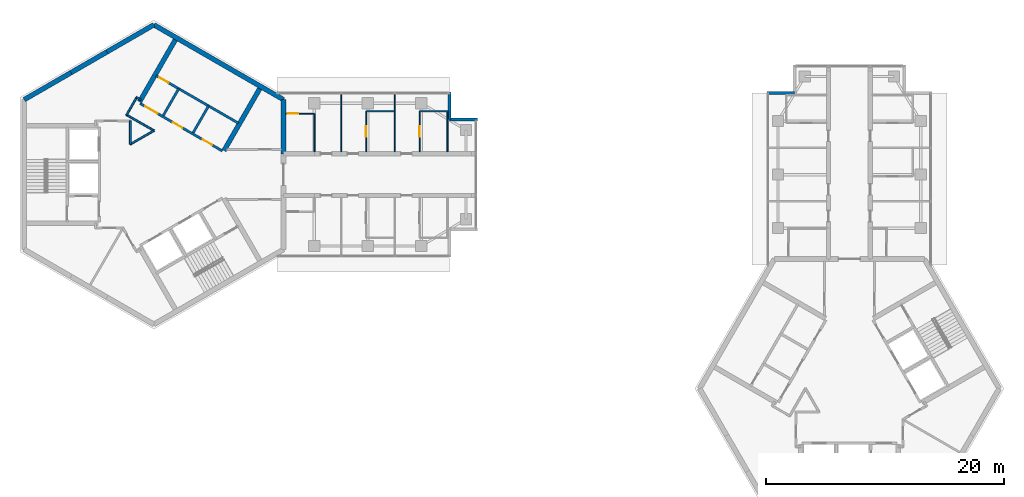
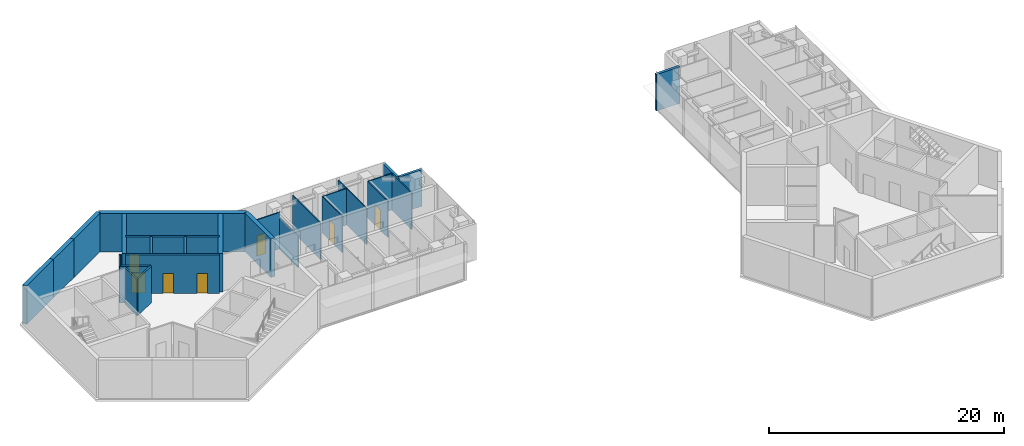
# One storey, part 7 of 11: 28 walls, 7 doors, 7 openings.
"""IFC4 building model written with IfcOpenShell, lengths in metres."""

from ifc_helpers import new_model, si_unit, direction, frame, frame_2d, origin, place, context, subcontext, project, spatial, rectangle, extrude, material, layer, layer_set, type_object, element, fill, save


model = new_model("IFC4")

# Units and contexts
model_context = context("Model", 3, precision=1e-05, world=origin(), true_north=direction((0.0, 1.0)))
body_context = subcontext(model_context, "Body", "Model", "MODEL_VIEW")
ifc_project = project(units=[si_unit("LENGTHUNIT", "METRE"), si_unit("AREAUNIT", "SQUARE_METRE"), si_unit("VOLUMEUNIT", "CUBIC_METRE"), si_unit("PLANEANGLEUNIT", "RADIAN"), si_unit("MASSUNIT", "GRAM", prefix="KILO")], contexts=[model_context])

# Site, building, storey
site_placement = place(None, origin())
site = spatial("IfcSite", under=ifc_project, at=site_placement, CompositionType="ELEMENT")
building_placement = place(site_placement, origin())
building = spatial("IfcBuilding", under=site, at=building_placement, Name="Upepo Twin Towers", CompositionType="ELEMENT")
storey_placement = place(building_placement, frame((0.0, 0.0, 279.5)))
storey = spatial("IfcBuildingStorey", under=building, at=storey_placement, Name="L68", CompositionType="ELEMENT", Elevation=279.5)

# Walls
ifc_material_1 = material(Name="Concrete C60/75", Category="concrete")
ifc_layer_1 = layer(ifc_material_1, 0.39990234375)
ifc_layer_set_1 = layer_set([ifc_layer_1], Name="Concrete C60/75")
wall_type_1 = type_object("IfcWallType", Name="Core wall 400 RC", PredefinedType="SHEAR", material=ifc_layer_set_1)
wall_1_placement = place(storey_placement, frame((10.908447265625, 1.75, 0.0), z_axis=(0.0, 0.0, 1.0), x_axis=(0.0, 1.0, 0.0)))
element("IfcWall", 1, at=wall_1_placement, inside=storey, type_object=wall_type_1, Name="T1 core wall 000 L", PredefinedType="SHEAR", context=body_context, shape_type="SweptSolid", body=[
    extrude(rectangle(XDim=4.5478515625, YDim=0.39990234375, at=frame_2d((2.27392578125, 0.0))), origin(), (0.0, 0.0, 1.0), 4.0),
])
wall_2_placement = place(storey_placement, frame((10.908447265625, 6.2978515625, 0.0), z_axis=(0.0, 0.0, 1.0), x_axis=(-0.866021940709, 0.500005998175, 0.0)))
element("IfcWall", 2, at=wall_2_placement, inside=storey, type_object=wall_type_1, Name="T1 core wall 060", PredefinedType="SHEAR", context=body_context, shape_type="SweptSolid", body=[
    extrude(rectangle(XDim=12.595947265625, YDim=0.39990234375, at=frame_2d((6.2978515625, 0.0))), origin(), (0.0, 0.0, 1.0), 4.0),
])
wall_3_placement = place(storey_placement, frame((0.0, 12.595947265625, 0.0), z_axis=(0.0, 0.0, 1.0), x_axis=(-0.866011268655, -0.500024481964, 0.0)))
element("IfcWall", 3, at=wall_3_placement, inside=storey, type_object=wall_type_1, Name="T1 core wall 120 R", PredefinedType="SHEAR", context=body_context, shape_type="SweptSolid", body=[
    extrude(rectangle(XDim=4.548095703125, YDim=0.39990234375, at=frame_2d((2.27392578125, 0.0))), origin(), (0.0, 0.0, 1.0), 4.0),
])
wall_4_placement = place(storey_placement, frame((-3.938720703125, 10.32177734375, 0.0), z_axis=(0.0, 0.0, 1.0), x_axis=(-0.866019471182, -0.500010275428, 0.0)))
element("IfcWall", 4, at=wall_4_placement, inside=storey, type_object=wall_type_1, Name="T1 core wall 120", PredefinedType="SHEAR", context=body_context, shape_type="SweptSolid", body=[
    extrude(rectangle(XDim=3.5, YDim=0.39990234375, at=frame_2d((1.75, 0.0))), origin(), (0.0, 0.0, 1.0), 4.0),
])
wall_5_placement = place(storey_placement, frame((-6.9697265625, 8.57177734375, 0.0), z_axis=(0.0, 0.0, 1.0), x_axis=(-0.866034513004, -0.499984222037, 0.0)))
element("IfcWall", 5, at=wall_5_placement, inside=storey, type_object=wall_type_1, Name="T1 core wall 120 L", PredefinedType="SHEAR", context=body_context, shape_type="SweptSolid", body=[
    extrude(rectangle(XDim=4.548095703125, YDim=0.39990234375, at=frame_2d((2.27392578125, 0.0))), origin(), (0.0, 0.0, 1.0), 4.0),
])
ifc_material_2 = material(Name="Blockwork with anodised aluminium cladding", Category="masonry")
ifc_layer_2 = layer(ifc_material_2, 0.25)
ifc_layer_set_2 = layer_set([ifc_layer_2], Name="Notch cladding wall 250, pale metal")
wall_type_2 = type_object("IfcWallType", Name="Notch cladding wall 250, pale metal", PredefinedType="STANDARD", material=ifc_layer_set_2)
for number, where, z_axis, x_axis, name in (
    (6, (24.875, 6.949951171875, 0.0), (0.0, 0.0, 1.0), (0.0, -1.0, 0.0), "T1 L68 wing A notch wall L1"),
    (7, (24.875, 4.625, 0.0), (0.0, 0.0, 1.0), (1.0, 0.0, 0.0), "T1 L68 wing A notch wall L2"),
    (8, (51.550048828125, 6.875, 0.0), (0.0, 0.0, 1.0), (1.0, 0.0, 0.0), "T2 L68 wing A notch wall L1"),
):
    element("IfcWall", number, at=place(storey_placement, frame(where, z_axis=z_axis, x_axis=x_axis)), inside=storey, type_object=wall_type_2, Name=name, PredefinedType="STANDARD", context=body_context, shape_type="SweptSolid", body=[
        extrude(rectangle(XDim=2.324951171875, YDim=0.25, at=frame_2d((1.16259765625, 0.0))), origin(), (0.0, 0.0, 1.0), 3.800048828125),
    ])
ifc_material_3 = material(Name="Gypsum board on steel studs", Category="steel")
ifc_layer_3 = layer(ifc_material_3, 0.10009765625)
ifc_layer_set_3 = layer_set([ifc_layer_3], Name="Office partition 100 stud")
wall_type_3 = type_object("IfcWallType", Name="Office partition 100 stud", PredefinedType="PARTITIONING", material=ifc_layer_set_3)
for number, where, z_axis, x_axis, name in (
    (9, (15.75, 1.925048828125, 0.0), (0.0, 0.0, 1.0), (0.0, 1.0, 0.0), "T1 partition AL at 15.75"),
    (10, (20.25, 1.925048828125, 0.0), (0.0, 0.0, 1.0), (0.0, 1.0, 0.0), "T1 partition AL at 20.25"),
):
    element("IfcWall", number, at=place(storey_placement, frame(where, z_axis=z_axis, x_axis=x_axis)), inside=storey, type_object=wall_type_3, Name=name, PredefinedType="PARTITIONING", context=body_context, shape_type="SweptSolid", body=[
        extrude(rectangle(XDim=4.824951171875, YDim=0.10009765625, at=frame_2d((2.41259765625, 0.0))), origin(), (0.0, 0.0, 1.0), 3.800048828125),
    ])
wall_6_placement = place(storey_placement, frame((17.85009765625, 5.324951171875, 0.0), z_axis=(0.0, 0.0, 1.0), x_axis=(1.0, 0.0, 0.0)))
element("IfcWall", 11, at=wall_6_placement, inside=storey, type_object=wall_type_3, Name="T1 inner room partition AL at 17.85", PredefinedType="PARTITIONING", context=body_context, shape_type="SweptSolid", body=[
    extrude(rectangle(XDim=2.39990234375, YDim=0.10009765625, at=frame_2d((1.199951171875, 0.0))), origin(), (0.0, 0.0, 1.0), 3.800048828125),
])

# Wall, opening, door
wall_7_placement = place(storey_placement, frame((17.85009765625, 1.925048828125, 0.0), z_axis=(0.0, 0.0, 1.0), x_axis=(0.0, 1.0, 0.0)))
wall_7 = element("IfcWall", 12, at=wall_7_placement, inside=storey, type_object=wall_type_3, Name="T1 inner room partition AL end at 17.85", PredefinedType="PARTITIONING", context=body_context, shape_type="SweptSolid", body=[
    extrude(rectangle(XDim=3.39990234375, YDim=0.10009765625, at=frame_2d((1.699951171875, 0.0))), origin(), (0.0, 0.0, 1.0), 3.800048828125),
])
opening_1_placement = place(wall_7_placement, frame((1.25, 0.0, 0.0)))
opening_1 = element("IfcOpeningElement", 13, at=opening_1_placement, cuts=wall_7, Name="Opening D14", PredefinedType="OPENING", context=body_context, shape_type="SweptSolid", body=[
    extrude(rectangle(XDim=0.89990234375, YDim=2.10009765625, at=frame_2d((0.449951171875, 1.050048828125))), frame((0.0, 0.06005859375, 0.0), z_axis=(0.0, -1.0, 0.0), x_axis=(1.0, 0.0, 0.0)), (0.0, 0.0, 1.0), 0.1201171875),
])
ifc_material_4 = material(Name="Timber doorset", Category="wood")
door_type_1 = type_object("IfcDoorType", Name="Office door 900 FD30", OperationType="SINGLE_SWING_LEFT", PredefinedType="DOOR", material=ifc_material_4)
door_1_placement = place(opening_1_placement, origin())
door_1 = element("IfcDoor", 14, at=door_1_placement, inside=storey, type_object=door_type_1, Name="T1 L68 inner room door", OperationType="SINGLE_SWING_LEFT", OverallHeight=2.10009765625, OverallWidth=0.89990234375, PredefinedType="DOOR", context=body_context, shape_type="SweptSolid", body=[
    extrude(rectangle(XDim=0.89990234375, YDim=2.10009765625, at=frame_2d((0.449951171875, 1.050048828125))), frame((0.0, 0.02490234375, 0.0), z_axis=(0.0, -1.0, 0.0), x_axis=(1.0, 0.0, 0.0)), (0.0, 0.0, 1.0), 0.050048828125),
])
fill(opening_1, door_1)

# Wall
wall_8_placement = place(storey_placement, frame((22.35009765625, 5.324951171875, 0.0), z_axis=(0.0, 0.0, 1.0), x_axis=(1.0, 0.0, 0.0)))
element("IfcWall", 15, at=wall_8_placement, inside=storey, type_object=wall_type_3, Name="T1 inner room partition AL at 22.35", PredefinedType="PARTITIONING", context=body_context, shape_type="SweptSolid", body=[
    extrude(rectangle(XDim=2.39990234375, YDim=0.10009765625, at=frame_2d((1.199951171875, 0.0))), origin(), (0.0, 0.0, 1.0), 3.800048828125),
])

# Wall, opening, door
wall_9_placement = place(storey_placement, frame((22.35009765625, 1.925048828125, 0.0), z_axis=(0.0, 0.0, 1.0), x_axis=(0.0, 1.0, 0.0)))
wall_9 = element("IfcWall", 16, at=wall_9_placement, inside=storey, type_object=wall_type_3, Name="T1 inner room partition AL end at 22.35", PredefinedType="PARTITIONING", context=body_context, shape_type="SweptSolid", body=[
    extrude(rectangle(XDim=3.39990234375, YDim=0.10009765625, at=frame_2d((1.699951171875, 0.0))), origin(), (0.0, 0.0, 1.0), 3.800048828125),
])
opening_2_placement = place(wall_9_placement, frame((1.25, 0.0, 0.0)))
opening_2 = element("IfcOpeningElement", 17, at=opening_2_placement, cuts=wall_9, Name="Opening D14", PredefinedType="OPENING", context=body_context, shape_type="SweptSolid", body=[
    extrude(rectangle(XDim=0.89990234375, YDim=2.10009765625, at=frame_2d((0.449951171875, 1.050048828125))), frame((0.0, 0.06005859375, 0.0), z_axis=(0.0, -1.0, 0.0), x_axis=(1.0, 0.0, 0.0)), (0.0, 0.0, 1.0), 0.1201171875),
])
door_2_placement = place(opening_2_placement, origin())
door_2 = element("IfcDoor", 18, at=door_2_placement, inside=storey, type_object=door_type_1, Name="T1 L68 inner room door", OperationType="SINGLE_SWING_LEFT", OverallHeight=2.10009765625, OverallWidth=0.89990234375, PredefinedType="DOOR", context=body_context, shape_type="SweptSolid", body=[
    extrude(rectangle(XDim=0.89990234375, YDim=2.10009765625, at=frame_2d((0.449951171875, 1.050048828125))), frame((0.0, 0.02490234375, 0.0), z_axis=(0.0, -1.0, 0.0), x_axis=(1.0, 0.0, 0.0)), (0.0, 0.0, 1.0), 0.050048828125),
])
fill(opening_2, door_2)

# Wall
wall_10_placement = place(storey_placement, frame((24.699951171875, 1.925048828125, 0.0), z_axis=(0.0, 0.0, 1.0), x_axis=(0.0, 1.0, 0.0)))
element("IfcWall", 19, at=wall_10_placement, inside=storey, type_object=wall_type_3, Name="T1 inner room partition AL end at 24.75", PredefinedType="PARTITIONING", context=body_context, shape_type="SweptSolid", body=[
    extrude(rectangle(XDim=3.39990234375, YDim=0.10009765625, at=frame_2d((1.699951171875, 0.0))), origin(), (0.0, 0.0, 1.0), 3.800048828125),
])

# Wall, opening, door
wall_11_placement = place(storey_placement, frame((11.10791015625, 5.125, 0.0), z_axis=(0.0, 0.0, 1.0), x_axis=(1.0, 0.0, 0.0)))
wall_11 = element("IfcWall", 20, at=wall_11_placement, inside=storey, type_object=wall_type_3, Name="T1 WC bay partition AL at 11.11", PredefinedType="PARTITIONING", context=body_context, shape_type="SweptSolid", body=[
    extrude(rectangle(XDim=2.400146484375, YDim=0.10009765625, at=frame_2d((1.2001953125, 0.0))), origin(), (0.0, 0.0, 1.0), 3.800048828125),
])
opening_3_placement = place(wall_11_placement, frame((0.14990234375, 0.0, 0.0)))
opening_3 = element("IfcOpeningElement", 21, at=opening_3_placement, cuts=wall_11, Name="Opening D14", PredefinedType="OPENING", context=body_context, shape_type="SweptSolid", body=[
    extrude(rectangle(XDim=0.89990234375, YDim=2.10009765625, at=frame_2d((0.449951171875, 1.050048828125))), frame((0.0, 0.06005859375, 0.0), z_axis=(0.0, -1.0, 0.0), x_axis=(1.0, 0.0, 0.0)), (0.0, 0.0, 1.0), 0.1201171875),
])
door_3_placement = place(opening_3_placement, origin())
door_3 = element("IfcDoor", 22, at=door_3_placement, inside=storey, type_object=door_type_1, Name="T1 L68 WC bay inner room door", OperationType="SINGLE_SWING_LEFT", OverallHeight=2.10009765625, OverallWidth=0.89990234375, PredefinedType="DOOR", context=body_context, shape_type="SweptSolid", body=[
    extrude(rectangle(XDim=0.89990234375, YDim=2.10009765625, at=frame_2d((0.449951171875, 1.050048828125))), frame((0.0, 0.02490234375, 0.0), z_axis=(0.0, -1.0, 0.0), x_axis=(1.0, 0.0, 0.0)), (0.0, 0.0, 1.0), 0.050048828125),
])
fill(opening_3, door_3)

# Wall
wall_12_placement = place(storey_placement, frame((13.508056640625, 1.925048828125, 0.0), z_axis=(0.0, 0.0, 1.0), x_axis=(0.0, 1.0, 0.0)))
element("IfcWall", 23, at=wall_12_placement, inside=storey, type_object=wall_type_3, Name="T1 WC bay partition AL end at 13.51", PredefinedType="PARTITIONING", context=body_context, shape_type="SweptSolid", body=[
    extrude(rectangle(XDim=3.199951171875, YDim=0.10009765625, at=frame_2d((1.60009765625, 0.0))), origin(), (0.0, 0.0, 1.0), 3.266845703125),
])

# Wall, openings, doors
ifc_material_5 = material(Name="Concrete C40/50", Category="concrete")
ifc_layer_4 = layer(ifc_material_5, 0.199951171875)
ifc_layer_set_4 = layer_set([ifc_layer_4], Name="Concrete C40/50")
wall_type_4 = type_object("IfcWallType", Name="Shaft wall 200 RC", PredefinedType="SHEAR", material=ifc_layer_set_4)
wall_13_placement = place(storey_placement, frame((5.76416015625, 1.983642578125, 0.0), z_axis=(0.0, 0.0, 1.0), x_axis=(-0.866026010844, 0.49999894854, 0.0)))
wall_13 = element("IfcWall", 24, at=wall_13_placement, inside=storey, type_object=wall_type_4, Name="T1 core W60 front wall", PredefinedType="SHEAR", context=body_context, shape_type="SweptSolid", body=[
    extrude(rectangle(XDim=8.0, YDim=0.199951171875, at=frame_2d((4.0, 0.0))), origin(), (0.0, 0.0, 1.0), 4.0),
])
opening_4_placement = place(wall_13_placement, frame((6.300048828125, 0.0, 0.0)))
opening_4 = element("IfcOpeningElement", 25, at=opening_4_placement, cuts=wall_13, Name="Opening D4", PredefinedType="OPENING", context=body_context, shape_type="SweptSolid", body=[
    extrude(rectangle(XDim=1.199951171875, YDim=2.10009765625, at=frame_2d((0.60009765625, 1.050048828125))), frame((0.0, 0.10986328125, 0.0), z_axis=(0.0, -1.0, 0.0), x_axis=(1.0, 0.0, 0.0)), (0.0, 0.0, 1.0), 0.219970703125),
])
opening_5_placement = place(wall_13_placement, frame((1.0, 0.0, 0.0)))
opening_5 = element("IfcOpeningElement", 26, at=opening_5_placement, cuts=wall_13, Name="Opening D9", PredefinedType="OPENING", context=body_context, shape_type="SweptSolid", body=[
    extrude(rectangle(XDim=0.89990234375, YDim=2.10009765625, at=frame_2d((0.449951171875, 1.050048828125))), frame((0.0, 0.10986328125, 0.0), z_axis=(0.0, -1.0, 0.0), x_axis=(1.0, 0.0, 0.0)), (0.0, 0.0, 1.0), 0.219970703125),
])
opening_6_placement = place(wall_13_placement, frame((3.89990234375, 0.0, 0.0)))
opening_6 = element("IfcOpeningElement", 27, at=opening_6_placement, cuts=wall_13, Name="Opening D9", PredefinedType="OPENING", context=body_context, shape_type="SweptSolid", body=[
    extrude(rectangle(XDim=0.89990234375, YDim=2.10009765625, at=frame_2d((0.449951171875, 1.050048828125))), frame((0.0, 0.10986328125, 0.0), z_axis=(0.0, -1.0, 0.0), x_axis=(1.0, 0.0, 0.0)), (0.0, 0.0, 1.0), 0.219970703125),
])
ifc_material_6 = material(Name="Timber doorset", Category="wood")
door_type_2 = type_object("IfcDoorType", Name="Lobby door 1200 FD60", OperationType="SINGLE_SWING_LEFT", PredefinedType="DOOR", material=ifc_material_6)
door_4_placement = place(opening_4_placement, origin())
door_4 = element("IfcDoor", 28, at=door_4_placement, inside=storey, type_object=door_type_2, Name="T1 L68 W60 lobby door", OperationType="SINGLE_SWING_RIGHT", OverallHeight=2.10009765625, OverallWidth=1.199951171875, PredefinedType="DOOR", context=body_context, shape_type="SweptSolid", body=[
    extrude(rectangle(XDim=1.199951171875, YDim=2.10009765625, at=frame_2d((0.60009765625, 1.050048828125))), frame((0.0, 0.02490234375, 0.0), z_axis=(0.0, -1.0, 0.0), x_axis=(1.0, 0.0, 0.0)), (0.0, 0.0, 1.0), 0.050048828125),
])
fill(opening_4, door_4)
ifc_material_7 = material(Name="Timber doorset", Category="wood")
door_type_3 = type_object("IfcDoorType", Name="Riser door 900 FD60", OperationType="SINGLE_SWING_LEFT", PredefinedType="DOOR", material=ifc_material_7)
door_5_placement = place(opening_5_placement, origin())
door_5 = element("IfcDoor", 29, at=door_5_placement, inside=storey, type_object=door_type_3, Name="T1 L68 first-aid room door", OperationType="SINGLE_SWING_LEFT", OverallHeight=2.10009765625, OverallWidth=0.89990234375, PredefinedType="DOOR", context=body_context, shape_type="SweptSolid", body=[
    extrude(rectangle(XDim=0.89990234375, YDim=2.10009765625, at=frame_2d((0.449951171875, 1.050048828125))), frame((0.0, 0.02490234375, 0.0), z_axis=(0.0, -1.0, 0.0), x_axis=(1.0, 0.0, 0.0)), (0.0, 0.0, 1.0), 0.050048828125),
])
fill(opening_5, door_5)
door_6_placement = place(opening_6_placement, origin())
door_6 = element("IfcDoor", 30, at=door_6_placement, inside=storey, type_object=door_type_3, Name="T1 L68 pantry store door", OperationType="SINGLE_SWING_RIGHT", OverallHeight=2.10009765625, OverallWidth=0.89990234375, PredefinedType="DOOR", context=body_context, shape_type="SweptSolid", body=[
    extrude(rectangle(XDim=0.89990234375, YDim=2.10009765625, at=frame_2d((0.449951171875, 1.050048828125))), frame((0.0, 0.02490234375, 0.0), z_axis=(0.0, -1.0, 0.0), x_axis=(1.0, 0.0, 0.0)), (0.0, 0.0, 1.0), 0.050048828125),
])
fill(opening_6, door_6)

# Walls
for number, where, z_axis, x_axis, name in (
    (31, (3.302734375, 3.520263671875, 0.0), (0.0, 0.0, 1.0), (0.499936506574, 0.866062058628, 0.0), "T1 core W60 shaft divider"),
    (32, (0.791259765625, 4.97021484375, 0.0), (0.0, 0.0, 1.0), (0.499936506574, 0.866062058628, 0.0), "T1 core W60 lobby wall"),
):
    element("IfcWall", number, at=place(storey_placement, frame(where, z_axis=z_axis, x_axis=x_axis)), inside=storey, type_object=wall_type_4, Name=name, PredefinedType="SHEAR", context=body_context, shape_type="SweptSolid", body=[
        extrude(rectangle(XDim=2.599853515625, YDim=0.199951171875, at=frame_2d((1.2998046875, 0.0))), origin(), (0.0, 0.0, 1.0), 4.0),
    ])

# Wall, opening, door
wall_14_placement = place(storey_placement, frame((7.114013671875, 4.322021484375, 0.0), z_axis=(0.0, 0.0, 1.0), x_axis=(-0.866026010844, 0.49999894854, 0.0)))
wall_14 = element("IfcWall", 33, at=wall_14_placement, inside=storey, type_object=wall_type_4, Name="T1 core W60 stair wall", PredefinedType="SHEAR", context=body_context, shape_type="SweptSolid", body=[
    extrude(rectangle(XDim=8.0, YDim=0.199951171875, at=frame_2d((4.0, 0.0))), origin(), (0.0, 0.0, 1.0), 4.0),
])
opening_7_placement = place(wall_14_placement, frame((6.800048828125, 0.0, 0.0)))
opening_7 = element("IfcOpeningElement", 34, at=opening_7_placement, cuts=wall_14, Name="Opening D9", PredefinedType="OPENING", context=body_context, shape_type="SweptSolid", body=[
    extrude(rectangle(XDim=0.89990234375, YDim=2.10009765625, at=frame_2d((0.449951171875, 1.050048828125))), frame((0.0, 0.10986328125, 0.0), z_axis=(0.0, -1.0, 0.0), x_axis=(1.0, 0.0, 0.0)), (0.0, 0.0, 1.0), 0.219970703125),
])
door_7_placement = place(opening_7_placement, origin())
door_7 = element("IfcDoor", 35, at=door_7_placement, inside=storey, type_object=door_type_3, Name="T1 L68 riser door", OperationType="SINGLE_SWING_RIGHT", OverallHeight=2.10009765625, OverallWidth=0.89990234375, PredefinedType="DOOR", context=body_context, shape_type="SweptSolid", body=[
    extrude(rectangle(XDim=0.89990234375, YDim=2.10009765625, at=frame_2d((0.449951171875, 1.050048828125))), frame((0.0, 0.02490234375, 0.0), z_axis=(0.0, -1.0, 0.0), x_axis=(1.0, 0.0, 0.0)), (0.0, 0.0, 1.0), 0.050048828125),
])
fill(opening_7, door_7)

# Walls
ifc_material_8 = material(Name="Concrete C40/50", Category="concrete")
ifc_layer_5 = layer(ifc_material_8, 0.39990234375)
ifc_layer_set_5 = layer_set([ifc_layer_5], Name="Concrete C40/50")
wall_type_5 = type_object("IfcWallType", Name="Shaft wall 400 RC", PredefinedType="SHEAR", material=ifc_layer_set_5)
for number, where, z_axis, x_axis, name in (
    (36, (-1.20068359375, 6.120361328125, 0.0), (0.0, 0.0, 1.0), (0.499997979876, 0.866026570101, 0.0), "T1 core W60 side wall N"),
    (37, (5.900634765625, 2.020263671875, 0.0), (0.0, 0.0, 1.0), (0.499997979876, 0.866026570101, 0.0), "T1 core W60 side wall S"),
):
    element("IfcWall", number, at=place(storey_placement, frame(where, z_axis=z_axis, x_axis=x_axis)), inside=storey, type_object=wall_type_5, Name=name, PredefinedType="SHEAR", context=body_context, shape_type="SweptSolid", body=[
        extrude(rectangle(XDim=6.00830078125, YDim=0.39990234375, at=frame_2d((3.004150390625, 0.0))), origin(), (0.0, 0.0, 1.0), 4.0),
    ])
ifc_material_9 = material(Name="Gypsum board on steel studs", Category="steel")
ifc_layer_6 = layer(ifc_material_9, 0.14990234375)
ifc_layer_set_6 = layer_set([ifc_layer_6], Name="Teaching partition 150 acoustic")
wall_type_6 = type_object("IfcWallType", Name="Teaching partition 150 acoustic", PredefinedType="PARTITIONING", material=ifc_layer_set_6)
wall_15_placement = place(storey_placement, frame((-1.97509765625, 4.52001953125, 0.0), z_axis=(0.0, 0.0, 1.0), x_axis=(0.0, -1.0, 0.0)))
element("IfcWall", 38, at=wall_15_placement, inside=storey, type_object=wall_type_6, Name="T1 core room partition 6", PredefinedType="PARTITIONING", context=body_context, shape_type="SweptSolid", body=[
    extrude(rectangle(XDim=1.985107421875, YDim=0.14990234375, at=frame_2d((0.99267578125, 0.0))), origin(), (0.0, 0.0, 1.0), 3.800048828125),
])
wall_16_placement = place(storey_placement, frame((-1.992431640625, 2.544921875, 0.0), z_axis=(0.0, 0.0, 1.0), x_axis=(0.866059450854, 0.499941024108, 0.0)))
element("IfcWall", 39, at=wall_16_placement, inside=storey, type_object=wall_type_6, Name="T1 core room partition 7", PredefinedType="PARTITIONING", context=body_context, shape_type="SweptSolid", body=[
    extrude(rectangle(XDim=2.320556640625, YDim=0.14990234375, at=frame_2d((1.16015625, 0.0))), origin(), (0.0, 0.0, 1.0), 3.800048828125),
])
wall_17_placement = place(storey_placement, frame((0.017333984375, 3.68505859375, 0.0), z_axis=(0.0, 0.0, 1.0), x_axis=(-0.866036099759, 0.499981473571, 0.0)))
element("IfcWall", 40, at=wall_17_placement, inside=storey, type_object=wall_type_6, Name="T1 core room partition 8", PredefinedType="PARTITIONING", context=body_context, shape_type="SweptSolid", body=[
    extrude(rectangle(XDim=2.6923828125, YDim=0.14990234375, at=frame_2d((1.34619140625, 0.0))), origin(), (0.0, 0.0, 1.0), 3.800048828125),
])
wall_18_placement = place(storey_placement, frame((-2.30712890625, 5.00390625, 0.0), z_axis=(0.0, 0.0, 1.0), x_axis=(0.500062521093, 0.865989304205, 0.0)))
element("IfcWall", 41, at=wall_18_placement, inside=storey, type_object=wall_type_6, Name="T1 core room partition 9", PredefinedType="PARTITIONING", context=body_context, shape_type="SweptSolid", body=[
    extrude(rectangle(XDim=1.739990234375, YDim=0.14990234375, at=frame_2d((0.8701171875, 0.0))), origin(), (0.0, 0.0, 1.0), 3.800048828125),
])
wall_19_placement = place(storey_placement, frame((-1.46435546875, 6.50341796875, 0.0), z_axis=(0.0, 0.0, 1.0), x_axis=(0.866138304741, -0.499804398801, 0.0)))
element("IfcWall", 42, at=wall_19_placement, inside=storey, type_object=wall_type_6, Name="T1 core room partition 10", PredefinedType="PARTITIONING", context=body_context, shape_type="SweptSolid", body=[
    extrude(rectangle(XDim=0.429931640625, YDim=0.14990234375, at=frame_2d((0.21484375, 0.0))), origin(), (0.0, 0.0, 1.0), 3.800048828125),
])

save(model, "model.ifc")
